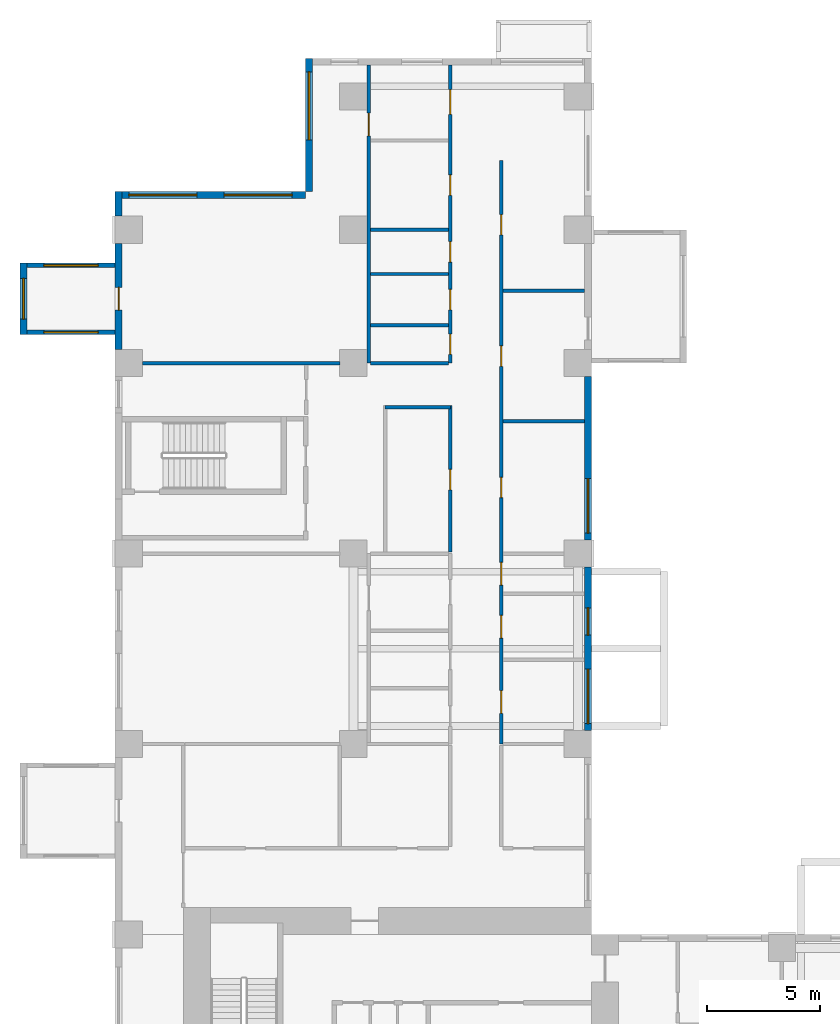
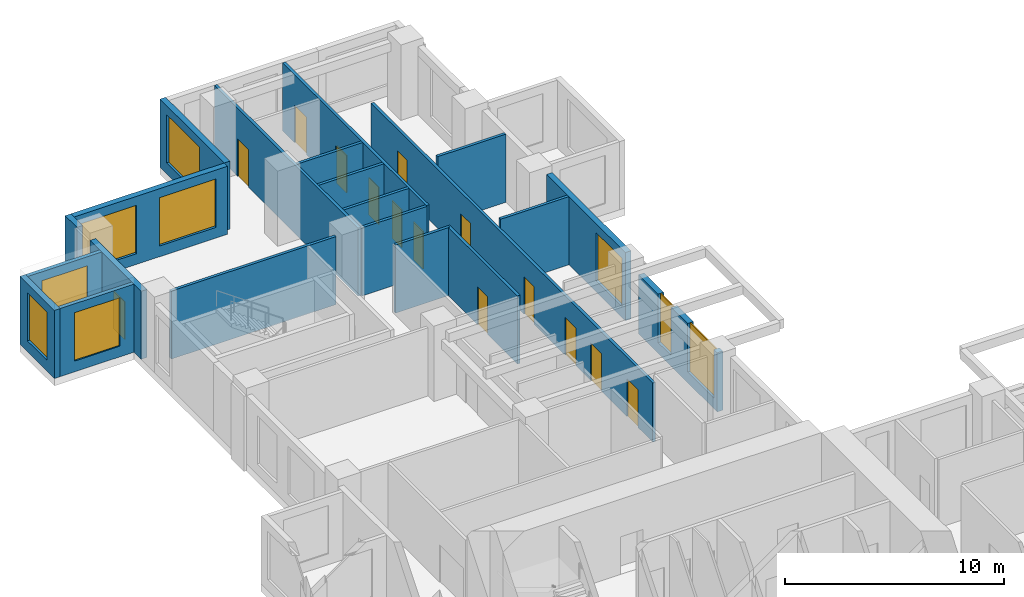
# One storey, part 7 of 14: 21 walls, 14 doors, 9 windows, 23 openings.
"""IFC4 building model written with IfcOpenShell, lengths in metres."""

from ifc_helpers import new_model, si_unit, direction, frame, frame_2d, origin, place, context, subcontext, project, spatial, rectangle, extrude, source, transform, mapped, material, layer, layer_set, type_object, element, fill, save


model = new_model("IFC4")

# Units and contexts
model_context = context("Model", 3, precision=1e-05, world=origin(), true_north=direction((0.0, 1.0)))
body_context = subcontext(model_context, "Body", "Model", "MODEL_VIEW")
ifc_project = project(units=[si_unit("LENGTHUNIT", "METRE"), si_unit("AREAUNIT", "SQUARE_METRE"), si_unit("VOLUMEUNIT", "CUBIC_METRE"), si_unit("PLANEANGLEUNIT", "RADIAN"), si_unit("MASSUNIT", "GRAM", prefix="KILO")], contexts=[model_context])

# Site, building, storey
site_placement = place(None, origin())
site = spatial("IfcSite", under=ifc_project, at=site_placement, CompositionType="ELEMENT")
building_placement = place(site_placement, origin())
building = spatial("IfcBuilding", under=site, at=building_placement, Name="Aurelian Terraces", CompositionType="ELEMENT")
storey_placement = place(building_placement, frame((0.0, 0.0, 86.7)))
storey = spatial("IfcBuildingStorey", under=building, at=storey_placement, Name="L18", CompositionType="ELEMENT", Elevation=86.7)

# Wall, openings, doors
ifc_material_1 = material(Name="Gypsum board on steel studs", Category="steel")
ifc_layer_1 = layer(ifc_material_1, 0.15)
ifc_layer_set_1 = layer_set([ifc_layer_1], Name="Fire partition 150")
wall_type_1 = type_object("IfcWallType", Name="Fire partition 150", PredefinedType="PARTITIONING", material=ifc_layer_set_1)
wall_1_placement = place(storey_placement, frame((17.025, 55.14, 0.0), z_axis=(0.0, 0.0, 1.0), x_axis=(0.0, -1.0, 0.0)))
wall_1 = element("IfcWall", 1, at=wall_1_placement, inside=storey, type_object=wall_type_1, Name="Corridor wall", PredefinedType="PARTITIONING", context=body_context, shape_type="SweptSolid", body=[
    extrude(rectangle(XDim=25.74, YDim=0.15, at=frame_2d((12.87, 0.0))), origin(), (0.0, 0.0, 1.0), 3.3),
])
shared_shape_1 = source(origin(), body_context, "Body", "SweptSolid", [
    extrude(rectangle(XDim=1.0, YDim=2.1, at=frame_2d((0.5, 1.05))), frame((0.0, 0.085, 0.0), z_axis=(0.0, -1.0, 0.0), x_axis=(1.0, 0.0, 0.0)), (0.0, 0.0, 1.0), 0.17),
])
opening_1_placement = place(wall_1_placement, frame((23.3833, 0.0, 0.0)))
opening_1 = element("IfcOpeningElement", 2, at=opening_1_placement, cuts=wall_1, Name="Opening 718044", PredefinedType="OPENING", context=body_context, shape_type="MappedRepresentation", body=[
    mapped(shared_shape_1, transform((0.0, 0.0, 0.0), scale=1.0)),
])
opening_2_placement = place(wall_1_placement, frame((20.0714, 0.0, 0.0)))
opening_2 = element("IfcOpeningElement", 3, at=opening_2_placement, cuts=wall_1, Name="Opening 718045", PredefinedType="OPENING", context=body_context, shape_type="MappedRepresentation", body=[
    mapped(shared_shape_1, transform((0.0, 0.0, 0.0), scale=1.0)),
])
opening_3_placement = place(wall_1_placement, frame((17.728, 0.0, 0.0)))
opening_3 = element("IfcOpeningElement", 4, at=opening_3_placement, cuts=wall_1, Name="Opening 718046", PredefinedType="OPENING", context=body_context, shape_type="MappedRepresentation", body=[
    mapped(shared_shape_1, transform((0.0, 0.0, 0.0), scale=1.0)),
])
shared_shape_2 = source(origin(), body_context, "Body", "SweptSolid", [
    extrude(rectangle(XDim=0.9, YDim=2.1, at=frame_2d((0.45, 1.05))), frame((0.0, 0.085, 0.0), z_axis=(0.0, -1.0, 0.0), x_axis=(1.0, 0.0, 0.0)), (0.0, 0.0, 1.0), 0.17),
])
opening_4_placement = place(wall_1_placement, frame((13.975, 0.0, 0.0)))
opening_4 = element("IfcOpeningElement", 5, at=opening_4_placement, cuts=wall_1, Name="Opening 718047", PredefinedType="OPENING", context=body_context, shape_type="MappedRepresentation", body=[
    mapped(shared_shape_2, transform((0.0, 0.0, 0.0), scale=1.0)),
])
opening_5_placement = place(wall_1_placement, frame((8.1825, 0.0, 0.0)))
opening_5 = element("IfcOpeningElement", 6, at=opening_5_placement, cuts=wall_1, Name="Opening 718048", PredefinedType="OPENING", context=body_context, shape_type="MappedRepresentation", body=[
    mapped(shared_shape_2, transform((0.0, 0.0, 0.0), scale=1.0)),
])
opening_6_placement = place(wall_1_placement, frame((2.39, 0.0, 0.0)))
opening_6 = element("IfcOpeningElement", 7, at=opening_6_placement, cuts=wall_1, Name="Opening 718049", PredefinedType="OPENING", context=body_context, shape_type="MappedRepresentation", body=[
    mapped(shared_shape_2, transform((0.0, 0.0, 0.0), scale=1.0)),
])
ifc_material_2 = material(Name="Timber door leaf", Category="wood")
door_type_1 = type_object("IfcDoorType", Name="Room door 1000x2100 left", OperationType="SINGLE_SWING_LEFT", PredefinedType="DOOR", material=ifc_material_2)
shared_shape_3 = source(origin(), body_context, "Body", "SweptSolid", [
    extrude(rectangle(XDim=1.0, YDim=2.1, at=frame_2d((0.5, 1.05))), frame((0.0, 0.025, 0.0), z_axis=(0.0, -1.0, 0.0), x_axis=(1.0, 0.0, 0.0)), (0.0, 0.0, 1.0), 0.05),
])
door_1_placement = place(opening_1_placement, origin())
door_1 = element("IfcDoor", 8, at=door_1_placement, inside=storey, type_object=door_type_1, Name="Door 718044", OperationType="SINGLE_SWING_LEFT", OverallHeight=2.1, OverallWidth=1.0, PredefinedType="DOOR", context=body_context, shape_type="MappedRepresentation", body=[
    mapped(shared_shape_3, transform((0.0, 0.0, 0.0), scale=1.0)),
])
fill(opening_1, door_1)
door_type_2 = type_object("IfcDoorType", Name="Room door 1000x2100 right", OperationType="SINGLE_SWING_RIGHT", PredefinedType="DOOR", material=ifc_material_2)
door_2_placement = place(opening_2_placement, origin())
door_2 = element("IfcDoor", 9, at=door_2_placement, inside=storey, type_object=door_type_2, Name="Door 718045", OperationType="SINGLE_SWING_RIGHT", OverallHeight=2.1, OverallWidth=1.0, PredefinedType="DOOR", context=body_context, shape_type="MappedRepresentation", body=[
    mapped(shared_shape_3, transform((0.0, 0.0, 0.0), scale=1.0)),
])
fill(opening_2, door_2)
door_3_placement = place(opening_3_placement, origin())
door_3 = element("IfcDoor", 10, at=door_3_placement, inside=storey, type_object=door_type_1, Name="Door 718046", OperationType="SINGLE_SWING_LEFT", OverallHeight=2.1, OverallWidth=1.0, PredefinedType="DOOR", context=body_context, shape_type="MappedRepresentation", body=[
    mapped(shared_shape_3, transform((0.0, 0.0, 0.0), scale=1.0)),
])
fill(opening_3, door_3)
door_type_3 = type_object("IfcDoorType", Name="Room door 900x2100 left", OperationType="SINGLE_SWING_LEFT", PredefinedType="DOOR", material=ifc_material_2)
shared_shape_4 = source(origin(), body_context, "Body", "SweptSolid", [
    extrude(rectangle(XDim=0.9, YDim=2.1, at=frame_2d((0.45, 1.05))), frame((0.0, 0.025, 0.0), z_axis=(0.0, -1.0, 0.0), x_axis=(1.0, 0.0, 0.0)), (0.0, 0.0, 1.0), 0.05),
])
door_4_placement = place(opening_4_placement, origin())
door_4 = element("IfcDoor", 11, at=door_4_placement, inside=storey, type_object=door_type_3, Name="Door 718047", OperationType="SINGLE_SWING_LEFT", OverallHeight=2.1, OverallWidth=0.9, PredefinedType="DOOR", context=body_context, shape_type="MappedRepresentation", body=[
    mapped(shared_shape_4, transform((0.0, 0.0, 0.0), scale=1.0)),
])
fill(opening_4, door_4)
door_type_4 = type_object("IfcDoorType", Name="Room door 900x2100 right", OperationType="SINGLE_SWING_RIGHT", PredefinedType="DOOR", material=ifc_material_2)
door_5_placement = place(opening_5_placement, origin())
door_5 = element("IfcDoor", 12, at=door_5_placement, inside=storey, type_object=door_type_4, Name="Door 718048", OperationType="SINGLE_SWING_RIGHT", OverallHeight=2.1, OverallWidth=0.9, PredefinedType="DOOR", context=body_context, shape_type="MappedRepresentation", body=[
    mapped(shared_shape_4, transform((0.0, 0.0, 0.0), scale=1.0)),
])
fill(opening_5, door_5)
door_6_placement = place(opening_6_placement, origin())
door_6 = element("IfcDoor", 13, at=door_6_placement, inside=storey, type_object=door_type_3, Name="Door 718049", OperationType="SINGLE_SWING_LEFT", OverallHeight=2.1, OverallWidth=0.9, PredefinedType="DOOR", context=body_context, shape_type="MappedRepresentation", body=[
    mapped(shared_shape_4, transform((0.0, 0.0, 0.0), scale=1.0)),
])
fill(opening_6, door_6)

# Wall, opening, door
ifc_layer_2 = layer(ifc_material_1, 0.15)
ifc_layer_set_2 = layer_set([ifc_layer_2], Name="Partition 150")
wall_type_2 = type_object("IfcWallType", Name="Partition 150", PredefinedType="PARTITIONING", material=ifc_layer_set_2)
wall_2_placement = place(storey_placement, frame((11.175, 46.2, 0.0), z_axis=(0.0, 0.0, 1.0), x_axis=(0.0, 1.0, 0.0)))
wall_2 = element("IfcWall", 14, at=wall_2_placement, inside=storey, type_object=wall_type_2, Name="Partition", PredefinedType="PARTITIONING", context=body_context, shape_type="SweptSolid", body=[
    extrude(rectangle(XDim=13.14, YDim=0.15, at=frame_2d((6.57, 0.0))), origin(), (0.0, 0.0, 1.0), 3.8),
])
opening_7_placement = place(wall_2_placement, frame((10.0245, 0.0, 0.0)))
opening_7 = element("IfcOpeningElement", 15, at=opening_7_placement, cuts=wall_2, Name="Opening 718039", PredefinedType="OPENING", context=body_context, shape_type="MappedRepresentation", body=[
    mapped(shared_shape_1, transform((0.0, 0.0, 0.0), scale=1.0)),
])
door_7_placement = place(opening_7_placement, origin())
door_7 = element("IfcDoor", 16, at=door_7_placement, inside=storey, type_object=door_type_2, Name="Door 718039", OperationType="SINGLE_SWING_RIGHT", OverallHeight=2.1, OverallWidth=1.0, PredefinedType="DOOR", context=body_context, shape_type="MappedRepresentation", body=[
    mapped(shared_shape_3, transform((0.0, 0.0, 0.0), scale=1.0)),
])
fill(opening_7, door_7)

# Wall, opening, window
ifc_material_3 = material(Name="Terracotta rainscreen cladding", Category="masonry")
ifc_layer_3 = layer(ifc_material_3, 0.3)
ifc_layer_set_3 = layer_set([ifc_layer_3], Name="EW-300")
wall_type_3 = type_object("IfcWallType", Name="EW-300", PredefinedType="STANDARD", material=ifc_layer_set_3)
shared_shape_5 = source(origin(), body_context, "Body", "SweptSolid", [
    extrude(rectangle(XDim=7.2, YDim=0.3, at=frame_2d((3.6, 0.0))), origin(), (0.0, 0.0, 1.0), 3.8),
])
wall_3_placement = place(storey_placement, frame((20.85, 38.4, 0.0), z_axis=(0.0, 0.0, 1.0), x_axis=(0.0, 1.0, 0.0)))
wall_3 = element("IfcWall", 17, at=wall_3_placement, inside=storey, type_object=wall_type_3, Name="External wall L18 F08.24", PredefinedType="STANDARD", context=body_context, shape_type="MappedRepresentation", body=[
    mapped(shared_shape_5, transform((0.0, 0.0, 0.0), scale=1.0)),
])
shared_shape_6 = source(origin(), body_context, "Body", "SweptSolid", [
    extrude(rectangle(XDim=2.4, YDim=2.7, at=frame_2d((1.2, 1.35))), frame((0.0, 0.16, 0.0), z_axis=(0.0, -1.0, 0.0), x_axis=(1.0, 0.0, 0.0)), (0.0, 0.0, 1.0), 0.32),
])
opening_8_placement = place(wall_3_placement, frame((0.3, 0.0, 0.6)))
opening_8 = element("IfcOpeningElement", 18, at=opening_8_placement, cuts=wall_3, Name="Opening W2427", PredefinedType="OPENING", context=body_context, shape_type="MappedRepresentation", body=[
    mapped(shared_shape_6, transform((0.0, 0.0, 0.0), scale=1.0)),
])
ifc_material_4 = material(Name="Clear glazing", Category="glass")
window_type_1 = type_object("IfcWindowType", Name="W-2400x2700", PartitioningType="SINGLE_PANEL", PredefinedType="WINDOW", material=ifc_material_4)
shared_shape_7 = source(origin(), body_context, "Body", "SweptSolid", [
    extrude(rectangle(XDim=2.4, YDim=2.7, at=frame_2d((1.2, 1.35))), frame((0.0, 0.03, 0.0), z_axis=(0.0, -1.0, 0.0), x_axis=(1.0, 0.0, 0.0)), (0.0, 0.0, 1.0), 0.06),
])
window_1_placement = place(opening_8_placement, origin())
window_1 = element("IfcWindow", 19, at=window_1_placement, inside=storey, type_object=window_type_1, Name="Window L18 L18-F08-24-0", OverallHeight=2.7, OverallWidth=2.4, PartitioningType="SINGLE_PANEL", PredefinedType="WINDOW", context=body_context, shape_type="MappedRepresentation", body=[
    mapped(shared_shape_7, transform((0.0, 0.0, 0.0), scale=1.0)),
])
fill(opening_8, window_1)

# Wall, opening, door
shared_shape_8 = source(origin(), body_context, "Body", "SweptSolid", [
    extrude(rectangle(XDim=4.68, YDim=0.3, at=frame_2d((2.34, 0.0))), origin(), (0.0, 0.0, 1.0), 3.8),
])
wall_4_placement = place(storey_placement, frame((0.15, 51.48, 0.0), z_axis=(0.0, 0.0, 1.0), x_axis=(0.0, -1.0, 0.0)))
wall_4 = element("IfcWall", 20, at=wall_4_placement, inside=storey, type_object=wall_type_3, Name="External wall L18 F12.31", PredefinedType="STANDARD", context=body_context, shape_type="MappedRepresentation", body=[
    mapped(shared_shape_8, transform((0.0, 0.0, 0.0), scale=1.0)),
])
shared_shape_9 = source(origin(), body_context, "Body", "SweptSolid", [
    extrude(rectangle(XDim=1.0, YDim=2.1, at=frame_2d((0.5, 1.05))), frame((0.0, 0.16, 0.0), z_axis=(0.0, -1.0, 0.0), x_axis=(1.0, 0.0, 0.0)), (0.0, 0.0, 1.0), 0.32),
])
opening_9_placement = place(wall_4_placement, frame((1.945, 0.0, 0.0)))
opening_9 = element("IfcOpeningElement", 21, at=opening_9_placement, cuts=wall_4, Name="Opening 818001", PredefinedType="OPENING", context=body_context, shape_type="MappedRepresentation", body=[
    mapped(shared_shape_9, transform((0.0, 0.0, 0.0), scale=1.0)),
])
door_8_placement = place(opening_9_placement, origin())
door_8 = element("IfcDoor", 22, at=door_8_placement, inside=storey, type_object=door_type_1, Name="Door 818001", OperationType="SINGLE_SWING_LEFT", OverallHeight=2.1, OverallWidth=1.0, PredefinedType="DOOR", context=body_context, shape_type="MappedRepresentation", body=[
    mapped(shared_shape_3, transform((0.0, 0.0, 0.0), scale=1.0)),
])
fill(opening_9, door_8)

# Wall, opening, window
shared_shape_10 = source(origin(), body_context, "Body", "SweptSolid", [
    extrude(rectangle(XDim=5.88, YDim=0.3, at=frame_2d((2.94, 0.0))), origin(), (0.0, 0.0, 1.0), 3.8),
])
wall_5_placement = place(storey_placement, frame((8.55, 59.64, 0.0), z_axis=(0.0, 0.0, 1.0), x_axis=(0.0, -1.0, 0.0)))
wall_5 = element("IfcWall", 23, at=wall_5_placement, inside=storey, type_object=wall_type_3, Name="External wall L18 F10.29", PredefinedType="STANDARD", context=body_context, shape_type="MappedRepresentation", body=[
    mapped(shared_shape_10, transform((0.0, 0.0, 0.0), scale=1.0)),
])
shared_shape_11 = source(origin(), body_context, "Body", "SweptSolid", [
    extrude(rectangle(XDim=3.0, YDim=2.7, at=frame_2d((1.5, 1.35))), frame((0.0, 0.16, 0.0), z_axis=(0.0, -1.0, 0.0), x_axis=(1.0, 0.0, 0.0)), (0.0, 0.0, 1.0), 0.32),
])
opening_10_placement = place(wall_5_placement, frame((0.6, 0.0, 0.6)))
opening_10 = element("IfcOpeningElement", 24, at=opening_10_placement, cuts=wall_5, Name="Opening W3027", PredefinedType="OPENING", context=body_context, shape_type="MappedRepresentation", body=[
    mapped(shared_shape_11, transform((0.0, 0.0, 0.0), scale=1.0)),
])
window_type_2 = type_object("IfcWindowType", Name="W-3000x2700", PartitioningType="SINGLE_PANEL", PredefinedType="WINDOW", material=ifc_material_4)
shared_shape_12 = source(origin(), body_context, "Body", "SweptSolid", [
    extrude(rectangle(XDim=3.0, YDim=2.7, at=frame_2d((1.5, 1.35))), frame((0.0, 0.03, 0.0), z_axis=(0.0, -1.0, 0.0), x_axis=(1.0, 0.0, 0.0)), (0.0, 0.0, 1.0), 0.06),
])
window_2_placement = place(opening_10_placement, origin())
window_2 = element("IfcWindow", 25, at=window_2_placement, inside=storey, type_object=window_type_2, Name="Window L18 L18-F10-29-0", OverallHeight=2.7, OverallWidth=3.0, PartitioningType="SINGLE_PANEL", PredefinedType="WINDOW", context=body_context, shape_type="MappedRepresentation", body=[
    mapped(shared_shape_12, transform((0.0, 0.0, 0.0), scale=1.0)),
])
fill(opening_10, window_2)

# Wall, openings, windows
shared_shape_13 = source(origin(), body_context, "Body", "SweptSolid", [
    extrude(rectangle(XDim=7.2, YDim=0.3, at=frame_2d((3.6, 0.0))), origin(), (0.0, 0.0, 1.0), 3.3),
])
wall_6_placement = place(storey_placement, frame((20.85, 30.0, 0.0), z_axis=(0.0, 0.0, 1.0), x_axis=(0.0, 1.0, 0.0)))
wall_6 = element("IfcWall", 26, at=wall_6_placement, inside=storey, type_object=wall_type_3, Name="External wall L18 F08.23", PredefinedType="STANDARD", context=body_context, shape_type="MappedRepresentation", body=[
    mapped(shared_shape_13, transform((0.0, 0.0, 0.0), scale=1.0)),
])
opening_11_placement = place(wall_6_placement, frame((0.3, 0.0, 0.6)))
opening_11 = element("IfcOpeningElement", 27, at=opening_11_placement, cuts=wall_6, Name="Opening W2427", PredefinedType="OPENING", context=body_context, shape_type="MappedRepresentation", body=[
    mapped(shared_shape_6, transform((0.0, 0.0, 0.0), scale=1.0)),
])
shared_shape_14 = source(origin(), body_context, "Body", "SweptSolid", [
    extrude(rectangle(XDim=1.2, YDim=2.7, at=frame_2d((0.6, 1.35))), frame((0.0, 0.16, 0.0), z_axis=(0.0, -1.0, 0.0), x_axis=(1.0, 0.0, 0.0)), (0.0, 0.0, 1.0), 0.32),
])
opening_12_placement = place(wall_6_placement, frame((4.1995, 0.0, 0.6)))
opening_12 = element("IfcOpeningElement", 28, at=opening_12_placement, cuts=wall_6, Name="Opening W1227", PredefinedType="OPENING", context=body_context, shape_type="MappedRepresentation", body=[
    mapped(shared_shape_14, transform((0.0, 0.0, 0.0), scale=1.0)),
])
window_3_placement = place(opening_11_placement, origin())
window_3 = element("IfcWindow", 29, at=window_3_placement, inside=storey, type_object=window_type_1, Name="Window L18 L18-F08-23-0", OverallHeight=2.7, OverallWidth=2.4, PartitioningType="SINGLE_PANEL", PredefinedType="WINDOW", context=body_context, shape_type="MappedRepresentation", body=[
    mapped(shared_shape_7, transform((0.0, 0.0, 0.0), scale=1.0)),
])
fill(opening_11, window_3)
window_type_3 = type_object("IfcWindowType", Name="W-1200x2700", PartitioningType="SINGLE_PANEL", PredefinedType="WINDOW", material=ifc_material_4)
shared_shape_15 = source(origin(), body_context, "Body", "SweptSolid", [
    extrude(rectangle(XDim=1.2, YDim=2.7, at=frame_2d((0.6, 1.35))), frame((0.0, 0.03, 0.0), z_axis=(0.0, -1.0, 0.0), x_axis=(1.0, 0.0, 0.0)), (0.0, 0.0, 1.0), 0.06),
])
window_4_placement = place(opening_12_placement, origin())
window_4 = element("IfcWindow", 30, at=window_4_placement, inside=storey, type_object=window_type_3, Name="Window L18 L18-F08-23-G0-33", OverallHeight=2.7, OverallWidth=1.2, PartitioningType="SINGLE_PANEL", PredefinedType="WINDOW", context=body_context, shape_type="MappedRepresentation", body=[
    mapped(shared_shape_15, transform((0.0, 0.0, 0.0), scale=1.0)),
])
fill(opening_12, window_4)

# Wall
shared_shape_16 = source(origin(), body_context, "Body", "SweptSolid", [
    extrude(rectangle(XDim=1.08, YDim=0.3, at=frame_2d((0.54, 0.0))), origin(), (0.0, 0.0, 1.0), 3.8),
])
wall_7_placement = place(storey_placement, frame((0.15, 53.76, 0.0), z_axis=(0.0, 0.0, 1.0), x_axis=(0.0, -1.0, 0.0)))
element("IfcWall", 31, at=wall_7_placement, inside=storey, type_object=wall_type_3, Name="External wall L18 F12.31", PredefinedType="STANDARD", context=body_context, shape_type="MappedRepresentation", body=[
    mapped(shared_shape_16, transform((0.0, 0.0, 0.0), scale=1.0)),
])

# Wall, opening, window
ifc_material_5 = material(Name="Concrete fc' 40 MPa", Category="concrete")
ifc_layer_4 = layer(ifc_material_5, 0.2)
ifc_layer_set_4 = layer_set([ifc_layer_4], Name="BOX BEARING WALL 200")
wall_type_4 = type_object("IfcWallType", Name="BOX BEARING WALL 200", PredefinedType="SOLIDWALL", material=ifc_layer_set_4)
shared_shape_17 = source(origin(), body_context, "Body", "SweptSolid", [
    extrude(rectangle(XDim=3.9, YDim=0.2, at=frame_2d((1.95, 0.0))), origin(), (0.0, 0.0, 1.0), 3.8),
])
wall_8_placement = place(storey_placement, frame((0.0, 50.51, 0.0), z_axis=(0.0, 0.0, 1.0), x_axis=(-1.0, 0.0, 0.0)))
wall_8 = element("IfcWall", 32, at=wall_8_placement, inside=storey, type_object=wall_type_4, Name="Box return L18 J22.1", PredefinedType="SOLIDWALL", context=body_context, shape_type="MappedRepresentation", body=[
    mapped(shared_shape_17, transform((0.0, 0.0, 0.0), scale=1.0)),
])
shared_shape_18 = source(origin(), body_context, "Body", "SweptSolid", [
    extrude(rectangle(XDim=2.4, YDim=2.7, at=frame_2d((1.2, 1.35))), frame((0.0, 0.11, 0.0), z_axis=(0.0, -1.0, 0.0), x_axis=(1.0, 0.0, 0.0)), (0.0, 0.0, 1.0), 0.22),
])
opening_13_placement = place(wall_8_placement, frame((0.75, 0.0, 0.6)))
opening_13 = element("IfcOpeningElement", 33, at=opening_13_placement, cuts=wall_8, Name="Opening W2427", PredefinedType="OPENING", context=body_context, shape_type="MappedRepresentation", body=[
    mapped(shared_shape_18, transform((0.0, 0.0, 0.0), scale=1.0)),
])
window_5_placement = place(opening_13_placement, origin())
window_5 = element("IfcWindow", 34, at=window_5_placement, inside=storey, type_object=window_type_1, Name="Window L18 J22-S1", OverallHeight=2.7, OverallWidth=2.4, PartitioningType="SINGLE_PANEL", PredefinedType="WINDOW", context=body_context, shape_type="MappedRepresentation", body=[
    mapped(shared_shape_7, transform((0.0, 0.0, 0.0), scale=1.0)),
])
fill(opening_13, window_5)

wall_9_placement = place(storey_placement, frame((0.0, 47.56, 0.0), z_axis=(0.0, 0.0, 1.0), x_axis=(-1.0, 0.0, 0.0)))
wall_9 = element("IfcWall", 35, at=wall_9_placement, inside=storey, type_object=wall_type_4, Name="Box return L18 J22.2", PredefinedType="SOLIDWALL", context=body_context, shape_type="MappedRepresentation", body=[
    mapped(shared_shape_17, transform((0.0, 0.0, 0.0), scale=1.0)),
])
opening_14_placement = place(wall_9_placement, frame((0.75, 0.0, 0.6)))
opening_14 = element("IfcOpeningElement", 36, at=opening_14_placement, cuts=wall_9, Name="Opening W2427", PredefinedType="OPENING", context=body_context, shape_type="MappedRepresentation", body=[
    mapped(shared_shape_18, transform((0.0, 0.0, 0.0), scale=1.0)),
])
window_6_placement = place(opening_14_placement, origin())
window_6 = element("IfcWindow", 37, at=window_6_placement, inside=storey, type_object=window_type_1, Name="Window L18 J22-S2", OverallHeight=2.7, OverallWidth=2.4, PartitioningType="SINGLE_PANEL", PredefinedType="WINDOW", context=body_context, shape_type="MappedRepresentation", body=[
    mapped(shared_shape_7, transform((0.0, 0.0, 0.0), scale=1.0)),
])
fill(opening_14, window_6)

# Wall, openings, windows
shared_shape_19 = source(origin(), body_context, "Body", "SweptSolid", [
    extrude(rectangle(XDim=8.4, YDim=0.3, at=frame_2d((4.2, 0.0))), origin(), (0.0, 0.0, 1.0), 3.8),
])
wall_10_placement = place(storey_placement, frame((8.4, 53.61, 0.0), z_axis=(0.0, 0.0, 1.0), x_axis=(-1.0, 0.0, 0.0)))
wall_10 = element("IfcWall", 38, at=wall_10_placement, inside=storey, type_object=wall_type_3, Name="External wall L18 F11.30", PredefinedType="STANDARD", context=body_context, shape_type="MappedRepresentation", body=[
    mapped(shared_shape_19, transform((0.0, 0.0, 0.0), scale=1.0)),
])
opening_15_placement = place(wall_10_placement, frame((0.6, 0.0, 0.6)))
opening_15 = element("IfcOpeningElement", 39, at=opening_15_placement, cuts=wall_10, Name="Opening W3027", PredefinedType="OPENING", context=body_context, shape_type="MappedRepresentation", body=[
    mapped(shared_shape_11, transform((0.0, 0.0, 0.0), scale=1.0)),
])
opening_16_placement = place(wall_10_placement, frame((4.8, 0.0, 0.6)))
opening_16 = element("IfcOpeningElement", 40, at=opening_16_placement, cuts=wall_10, Name="Opening W3027", PredefinedType="OPENING", context=body_context, shape_type="MappedRepresentation", body=[
    mapped(shared_shape_11, transform((0.0, 0.0, 0.0), scale=1.0)),
])
window_7_placement = place(opening_15_placement, origin())
window_7 = element("IfcWindow", 41, at=window_7_placement, inside=storey, type_object=window_type_2, Name="Window L18 L18-F11-30-0", OverallHeight=2.7, OverallWidth=3.0, PartitioningType="SINGLE_PANEL", PredefinedType="WINDOW", context=body_context, shape_type="MappedRepresentation", body=[
    mapped(shared_shape_12, transform((0.0, 0.0, 0.0), scale=1.0)),
])
fill(opening_15, window_7)
window_8_placement = place(opening_16_placement, origin())
window_8 = element("IfcWindow", 42, at=window_8_placement, inside=storey, type_object=window_type_2, Name="Window L18 L18-F11-30-1", OverallHeight=2.7, OverallWidth=3.0, PartitioningType="SINGLE_PANEL", PredefinedType="WINDOW", context=body_context, shape_type="MappedRepresentation", body=[
    mapped(shared_shape_12, transform((0.0, 0.0, 0.0), scale=1.0)),
])
fill(opening_16, window_8)

# Wall, opening, window
ifc_layer_5 = layer(ifc_material_5, 0.3)
ifc_layer_set_5 = layer_set([ifc_layer_5], Name="BOX BEARING WALL 300")
wall_type_5 = type_object("IfcWallType", Name="BOX BEARING WALL 300", PredefinedType="SOLIDWALL", material=ifc_layer_set_5)
shared_shape_20 = source(origin(), body_context, "Body", "SweptSolid", [
    extrude(rectangle(XDim=3.15, YDim=0.3, at=frame_2d((1.575, 0.0))), origin(), (0.0, 0.0, 1.0), 3.8),
])
wall_11_placement = place(storey_placement, frame((-4.05, 50.61, 0.0), z_axis=(0.0, 0.0, 1.0), x_axis=(0.0, -1.0, 0.0)))
wall_11 = element("IfcWall", 43, at=wall_11_placement, inside=storey, type_object=wall_type_5, Name="Box wall L18 J22", PredefinedType="SOLIDWALL", context=body_context, shape_type="MappedRepresentation", body=[
    mapped(shared_shape_20, transform((0.0, 0.0, 0.0), scale=1.0)),
])
shared_shape_21 = source(origin(), body_context, "Body", "SweptSolid", [
    extrude(rectangle(XDim=1.8, YDim=2.7, at=frame_2d((0.9, 1.35))), frame((0.0, 0.16, 0.0), z_axis=(0.0, -1.0, 0.0), x_axis=(1.0, 0.0, 0.0)), (0.0, 0.0, 1.0), 0.32),
])
opening_17_placement = place(wall_11_placement, frame((0.675, 0.0, 0.6)))
opening_17 = element("IfcOpeningElement", 44, at=opening_17_placement, cuts=wall_11, Name="Opening W1827", PredefinedType="OPENING", context=body_context, shape_type="MappedRepresentation", body=[
    mapped(shared_shape_21, transform((0.0, 0.0, 0.0), scale=1.0)),
])
window_type_4 = type_object("IfcWindowType", Name="W-1800x2700", PartitioningType="SINGLE_PANEL", PredefinedType="WINDOW", material=ifc_material_4)
shared_shape_22 = source(origin(), body_context, "Body", "SweptSolid", [
    extrude(rectangle(XDim=1.8, YDim=2.7, at=frame_2d((0.9, 1.35))), frame((0.0, 0.03, 0.0), z_axis=(0.0, -1.0, 0.0), x_axis=(1.0, 0.0, 0.0)), (0.0, 0.0, 1.0), 0.06),
])
window_9_placement = place(opening_17_placement, origin())
window_9 = element("IfcWindow", 45, at=window_9_placement, inside=storey, type_object=window_type_4, Name="Window L18 J22-F1", OverallHeight=2.7, OverallWidth=1.8, PartitioningType="SINGLE_PANEL", PredefinedType="WINDOW", context=body_context, shape_type="MappedRepresentation", body=[
    mapped(shared_shape_22, transform((0.0, 0.0, 0.0), scale=1.0)),
])
fill(opening_17, window_9)

# Wall, opening, door
shared_shape_23 = source(origin(), body_context, "Body", "SweptSolid", [
    extrude(rectangle(XDim=6.45, YDim=0.15, at=frame_2d((3.225, 0.0))), origin(), (0.0, 0.0, 1.0), 3.8),
])
wall_12_placement = place(storey_placement, frame((14.775, 37.875, 0.0), z_axis=(0.0, 0.0, 1.0), x_axis=(0.0, 1.0, 0.0)))
wall_12 = element("IfcWall", 46, at=wall_12_placement, inside=storey, type_object=wall_type_1, Name="Corridor wall", PredefinedType="PARTITIONING", context=body_context, shape_type="MappedRepresentation", body=[
    mapped(shared_shape_23, transform((0.0, 0.0, 0.0), scale=1.0)),
])
opening_18_placement = place(wall_12_placement, frame((2.7375, 0.0, 0.0)))
opening_18 = element("IfcOpeningElement", 47, at=opening_18_placement, cuts=wall_12, Name="Opening 718032", PredefinedType="OPENING", context=body_context, shape_type="MappedRepresentation", body=[
    mapped(shared_shape_2, transform((0.0, 0.0, 0.0), scale=1.0)),
])
door_9_placement = place(opening_18_placement, origin())
door_9 = element("IfcDoor", 48, at=door_9_placement, inside=storey, type_object=door_type_4, Name="Door 718032", OperationType="SINGLE_SWING_RIGHT", OverallHeight=2.1, OverallWidth=0.9, PredefinedType="DOOR", context=body_context, shape_type="MappedRepresentation", body=[
    mapped(shared_shape_4, transform((0.0, 0.0, 0.0), scale=1.0)),
])
fill(opening_18, door_9)

# Walls
shared_shape_24 = source(origin(), body_context, "Body", "SweptSolid", [
    extrude(rectangle(XDim=8.702, YDim=0.15, at=frame_2d((4.351, 0.0))), origin(), (0.0, 0.0, 1.0), 3.8),
])
wall_13_placement = place(storey_placement, frame((9.901, 46.2, 0.0), z_axis=(0.0, 0.0, 1.0), x_axis=(-1.0, 0.0, 0.0)))
element("IfcWall", 49, at=wall_13_placement, inside=storey, type_object=wall_type_2, Name="Partition", PredefinedType="PARTITIONING", context=body_context, shape_type="MappedRepresentation", body=[
    mapped(shared_shape_24, transform((0.0, 0.0, 0.0), scale=1.0)),
])
shared_shape_25 = source(origin(), body_context, "Body", "SweptSolid", [
    extrude(rectangle(XDim=3.6, YDim=0.15, at=frame_2d((1.8, 0.0))), origin(), (0.0, 0.0, 1.0), 3.8),
])
for number, where, z_axis, x_axis, name in (
    (50, (17.1, 43.63, 0.0), (0.0, 0.0, 1.0), (1.0, 0.0, 0.0), "Partition"),
    (51, (17.1, 49.385, 0.0), (0.0, 0.0, 1.0), (1.0, 0.0, 0.0), "Partition"),
):
    element("IfcWall", number, at=place(storey_placement, frame(where, z_axis=z_axis, x_axis=x_axis)), inside=storey, type_object=wall_type_2, Name=name, PredefinedType="PARTITIONING", context=body_context, shape_type="MappedRepresentation", body=[
        mapped(shared_shape_25, transform((0.0, 0.0, 0.0), scale=1.0)),
    ])
shared_shape_26 = source(origin(), body_context, "Body", "SweptSolid", [
    extrude(rectangle(XDim=3.45, YDim=0.15, at=frame_2d((1.725, 0.0))), origin(), (0.0, 0.0, 1.0), 3.8),
])
for number, where, z_axis, x_axis, name in (
    (52, (14.7, 47.8598, 0.0), (0.0, 0.0, 1.0), (-1.0, 0.0, 0.0), "Partition"),
    (53, (14.7, 50.1306, 0.0), (0.0, 0.0, 1.0), (-1.0, 0.0, 0.0), "Partition"),
    (54, (14.7, 52.08, 0.0), (0.0, 0.0, 1.0), (-1.0, 0.0, 0.0), "Partition"),
    (55, (14.7, 46.2, 0.0), (0.0, 0.0, 1.0), (-1.0, 0.0, 0.0), "Partition"),
):
    element("IfcWall", number, at=place(storey_placement, frame(where, z_axis=z_axis, x_axis=x_axis)), inside=storey, type_object=wall_type_2, Name=name, PredefinedType="PARTITIONING", context=body_context, shape_type="MappedRepresentation", body=[
        mapped(shared_shape_26, transform((0.0, 0.0, 0.0), scale=1.0)),
    ])
shared_shape_27 = source(origin(), body_context, "Body", "SweptSolid", [
    extrude(rectangle(XDim=2.875, YDim=0.15, at=frame_2d((1.4375, 0.0))), origin(), (0.0, 0.0, 1.0), 3.8),
])
wall_14_placement = place(storey_placement, frame((14.775, 44.25, 0.0), z_axis=(0.0, 0.0, 1.0), x_axis=(-1.0, 0.0, 0.0)))
element("IfcWall", 56, at=wall_14_placement, inside=storey, type_object=wall_type_2, Name="Partition", PredefinedType="PARTITIONING", context=body_context, shape_type="MappedRepresentation", body=[
    mapped(shared_shape_27, transform((0.0, 0.0, 0.0), scale=1.0)),
])

# Wall, openings, doors
shared_shape_28 = source(origin(), body_context, "Body", "SweptSolid", [
    extrude(rectangle(XDim=13.14, YDim=0.15, at=frame_2d((6.57, 0.0))), origin(), (0.0, 0.0, 1.0), 3.8),
])
wall_15_placement = place(storey_placement, frame((14.775, 46.2, 0.0), z_axis=(0.0, 0.0, 1.0), x_axis=(0.0, 1.0, 0.0)))
wall_15 = element("IfcWall", 57, at=wall_15_placement, inside=storey, type_object=wall_type_1, Name="Corridor wall", PredefinedType="PARTITIONING", context=body_context, shape_type="MappedRepresentation", body=[
    mapped(shared_shape_28, transform((0.0, 0.0, 0.0), scale=1.0)),
])
shared_shape_29 = source(origin(), body_context, "Body", "SweptSolid", [
    extrude(rectangle(XDim=1.1, YDim=2.1, at=frame_2d((0.55, 1.05))), frame((0.0, 0.085, 0.0), z_axis=(0.0, -1.0, 0.0), x_axis=(1.0, 0.0, 0.0)), (0.0, 0.0, 1.0), 0.17),
])
opening_19_placement = place(wall_15_placement, frame((10.9645, 0.0, 0.0)))
opening_19 = element("IfcOpeningElement", 58, at=opening_19_placement, cuts=wall_15, Name="Opening 718038", PredefinedType="OPENING", context=body_context, shape_type="MappedRepresentation", body=[
    mapped(shared_shape_29, transform((0.0, 0.0, 0.0), scale=1.0)),
])
opening_20_placement = place(wall_15_placement, frame((0.3799, 0.0, 0.0)))
opening_20 = element("IfcOpeningElement", 59, at=opening_20_placement, cuts=wall_15, Name="Opening 718040", PredefinedType="OPENING", context=body_context, shape_type="MappedRepresentation", body=[
    mapped(shared_shape_2, transform((0.0, 0.0, 0.0), scale=1.0)),
])
opening_21_placement = place(wall_15_placement, frame((2.3452, 0.0, 0.0)))
opening_21 = element("IfcOpeningElement", 60, at=opening_21_placement, cuts=wall_15, Name="Opening 718041", PredefinedType="OPENING", context=body_context, shape_type="MappedRepresentation", body=[
    mapped(shared_shape_2, transform((0.0, 0.0, 0.0), scale=1.0)),
])
opening_22_placement = place(wall_15_placement, frame((4.4553, 0.0, 0.0)))
opening_22 = element("IfcOpeningElement", 61, at=opening_22_placement, cuts=wall_15, Name="Opening 718042", PredefinedType="OPENING", context=body_context, shape_type="MappedRepresentation", body=[
    mapped(shared_shape_2, transform((0.0, 0.0, 0.0), scale=1.0)),
])
opening_23_placement = place(wall_15_placement, frame((7.397, 0.0, 0.0)))
opening_23 = element("IfcOpeningElement", 62, at=opening_23_placement, cuts=wall_15, Name="Opening 718043", PredefinedType="OPENING", context=body_context, shape_type="MappedRepresentation", body=[
    mapped(shared_shape_2, transform((0.0, 0.0, 0.0), scale=1.0)),
])
door_10_placement = place(opening_20_placement, origin())
door_10 = element("IfcDoor", 63, at=door_10_placement, inside=storey, type_object=door_type_3, Name="Door 718040", OperationType="SINGLE_SWING_LEFT", OverallHeight=2.1, OverallWidth=0.9, PredefinedType="DOOR", context=body_context, shape_type="MappedRepresentation", body=[
    mapped(shared_shape_4, transform((0.0, 0.0, 0.0), scale=1.0)),
])
fill(opening_20, door_10)
door_11_placement = place(opening_21_placement, origin())
door_11 = element("IfcDoor", 64, at=door_11_placement, inside=storey, type_object=door_type_4, Name="Door 718041", OperationType="SINGLE_SWING_RIGHT", OverallHeight=2.1, OverallWidth=0.9, PredefinedType="DOOR", context=body_context, shape_type="MappedRepresentation", body=[
    mapped(shared_shape_4, transform((0.0, 0.0, 0.0), scale=1.0)),
])
fill(opening_21, door_11)
door_12_placement = place(opening_22_placement, origin())
door_12 = element("IfcDoor", 65, at=door_12_placement, inside=storey, type_object=door_type_3, Name="Door 718042", OperationType="SINGLE_SWING_LEFT", OverallHeight=2.1, OverallWidth=0.9, PredefinedType="DOOR", context=body_context, shape_type="MappedRepresentation", body=[
    mapped(shared_shape_4, transform((0.0, 0.0, 0.0), scale=1.0)),
])
fill(opening_22, door_12)
door_13_placement = place(opening_23_placement, origin())
door_13 = element("IfcDoor", 66, at=door_13_placement, inside=storey, type_object=door_type_4, Name="Door 718043", OperationType="SINGLE_SWING_RIGHT", OverallHeight=2.1, OverallWidth=0.9, PredefinedType="DOOR", context=body_context, shape_type="MappedRepresentation", body=[
    mapped(shared_shape_4, transform((0.0, 0.0, 0.0), scale=1.0)),
])
fill(opening_23, door_13)
door_type_5 = type_object("IfcDoorType", Name="Room door 1100x2100 left", OperationType="SINGLE_SWING_LEFT", PredefinedType="DOOR", material=ifc_material_2)
shared_shape_30 = source(origin(), body_context, "Body", "SweptSolid", [
    extrude(rectangle(XDim=1.1, YDim=2.1, at=frame_2d((0.55, 1.05))), frame((0.0, 0.025, 0.0), z_axis=(0.0, -1.0, 0.0), x_axis=(1.0, 0.0, 0.0)), (0.0, 0.0, 1.0), 0.05),
])
door_14_placement = place(opening_19_placement, origin())
door_14 = element("IfcDoor", 67, at=door_14_placement, inside=storey, type_object=door_type_5, Name="Door 718038", OperationType="SINGLE_SWING_LEFT", OverallHeight=2.1, OverallWidth=1.1, PredefinedType="DOOR", context=body_context, shape_type="MappedRepresentation", body=[
    mapped(shared_shape_30, transform((0.0, 0.0, 0.0), scale=1.0)),
])
fill(opening_19, door_14)

save(model, "model.ifc")
